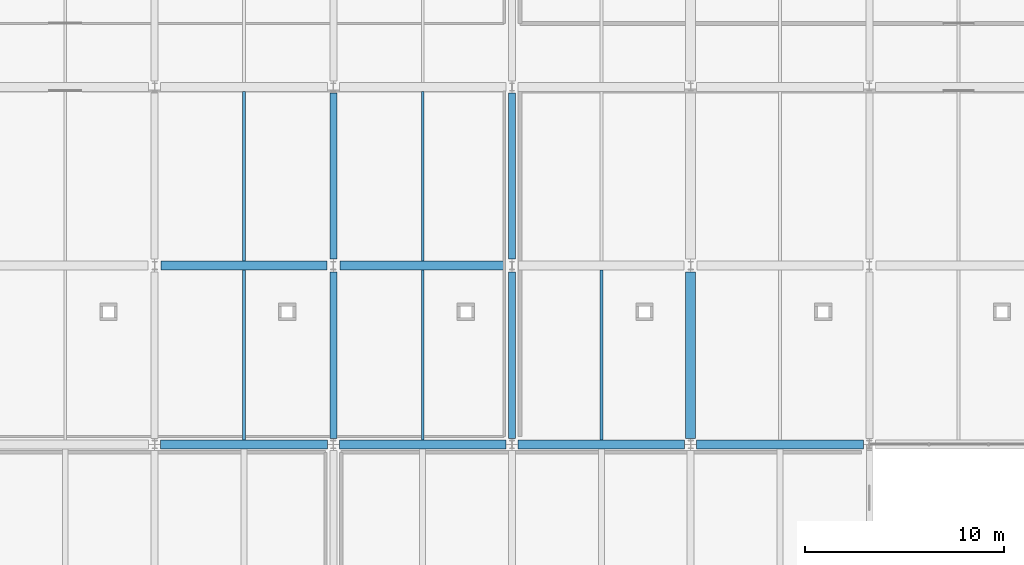
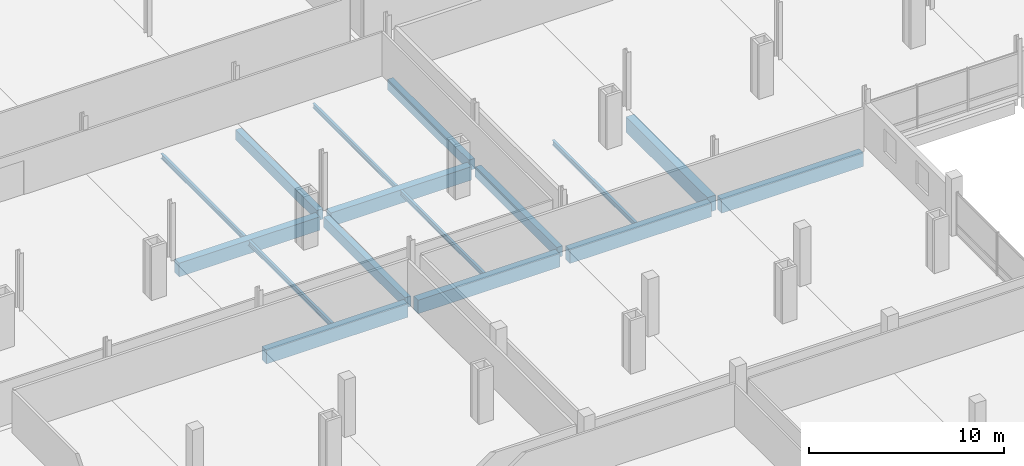
# One storey, part 38 of 132: 16 beams.
"""IFC4 building model written with IfcOpenShell, lengths in metres."""

from ifc_helpers import new_model, si_unit, direction, frame, origin, origin_2d, place, context, subcontext, project, spatial, rectangle, i_section, extrude, material, material_profile, profile_set, type_object, element, save


model = new_model("IFC4")

# Units and contexts
model_context = context("Model", 3, precision=1e-05, world=origin(), true_north=direction((0.0, 1.0)))
body_context = subcontext(model_context, "Body", "Model", "MODEL_VIEW")
ifc_project = project(units=[si_unit("LENGTHUNIT", "METRE"), si_unit("AREAUNIT", "SQUARE_METRE"), si_unit("VOLUMEUNIT", "CUBIC_METRE"), si_unit("PLANEANGLEUNIT", "RADIAN"), si_unit("MASSUNIT", "GRAM", prefix="KILO")], contexts=[model_context])

# Site, building, storey
site_placement = place(None, origin())
site = spatial("IfcSite", under=ifc_project, at=site_placement, CompositionType="ELEMENT")
building_placement = place(site_placement, origin())
building = spatial("IfcBuilding", under=site, at=building_placement, Name="Tharagai Park Tramway Depot", CompositionType="ELEMENT")
storey_placement = place(building_placement, frame((0.0, 0.0, 4.800048828125)))
storey = spatial("IfcBuildingStorey", under=building, at=storey_placement, Name="L01", CompositionType="ELEMENT", Elevation=4.800048828125)

# Beams
ifc_material_1 = material(Name="Concrete M35", Category="concrete")
ifc_material_profile_1 = material_profile(ifc_material_1, rectangle(XDim=0.449951171875, YDim=0.85009765625, at=origin_2d()), Name="RC 450x850")
ifc_profile_set_1 = profile_set([ifc_material_profile_1], Name="Concrete M35")
beam_type_1 = type_object("IfcBeamType", Name="BM-03", PredefinedType="BEAM", material=ifc_profile_set_1)
for number, where, z_axis, x_axis, name in (
    (1, (27.300048828125, 45.0, -0.705078125), (1.0, 0.0, 0.0), (0.0, 1.0, 0.0), "L01 Grid Beam BM-03"),
    (2, (36.300048828125, 45.0, -0.705078125), (1.0, 0.0, 0.0), (0.0, 1.0, 0.0), "L01 Grid Beam BM-03"),
    (3, (45.300048828125, 45.0, -0.705078125), (1.0, 0.0, 0.0), (0.0, 1.0, 0.0), "L01 Grid Beam BM-03"),
    (4, (54.300048828125, 45.0, -0.705078125), (1.0, 0.0, 0.0), (0.0, 1.0, 0.0), "L01 Grid Beam BM-03"),
):
    element("IfcBeam", number, at=place(storey_placement, frame(where, z_axis=z_axis, x_axis=x_axis)), inside=storey, type_object=beam_type_1, Name=name, PredefinedType="BEAM", context=body_context, shape_type="SweptSolid", body=[
        extrude(rectangle(XDim=0.449951171875, YDim=0.85009765625, at=origin_2d()), origin(), (0.0, 0.0, 1.0), 8.39990234375),
    ])
for number, where, z_axis, x_axis, name in (
    (5, (27.324951171875, 54.0, -0.705078125), (1.0, 0.0, 0.0), (0.0, 1.0, 0.0), "L01 Grid Beam BM-03"),
    (6, (36.324951171875, 54.0, -0.705078125), (1.0, 0.0, 0.0), (0.0, 1.0, 0.0), "L01 Grid Beam BM-03"),
):
    element("IfcBeam", number, at=place(storey_placement, frame(where, z_axis=z_axis, x_axis=x_axis)), inside=storey, type_object=beam_type_1, Name=name, PredefinedType="BEAM", context=body_context, shape_type="SweptSolid", body=[
        extrude(rectangle(XDim=0.449951171875, YDim=0.85009765625, at=origin_2d()), origin(), (0.0, 0.0, 1.0), 8.35009765625),
    ])
ifc_material_2 = material(Name="Concrete M40", Category="concrete")
ifc_material_profile_2 = material_profile(ifc_material_2, rectangle(XDim=0.5, YDim=0.949951171875, at=origin_2d()), Name="RC 500x950")
ifc_profile_set_2 = profile_set([ifc_material_profile_2], Name="Concrete M40")
beam_type_2 = type_object("IfcBeamType", Name="BM-07", PredefinedType="BEAM", material=ifc_profile_set_2)
beam_placement = place(storey_placement, frame((54.0, 45.300048828125, -0.755126953125), z_axis=(0.0, 1.0, 0.0), x_axis=(-1.0, 0.0, 0.0)))
element("IfcBeam", 7, at=beam_placement, inside=storey, type_object=beam_type_2, Name="L01 Grid Beam BM-07", PredefinedType="BEAM", context=body_context, shape_type="SweptSolid", body=[
    extrude(rectangle(XDim=0.5, YDim=0.949951171875, at=origin_2d()), origin(), (0.0, 0.0, 1.0), 8.375),
])
ifc_material_profile_3 = material_profile(ifc_material_1, rectangle(XDim=0.35009765625, YDim=0.64990234375, at=origin_2d()), Name="RC 350x650")
ifc_profile_set_3 = profile_set([ifc_material_profile_3], Name="Concrete M35")
beam_type_3 = type_object("IfcBeamType", Name="BM-13", PredefinedType="BEAM", material=ifc_profile_set_3)
for number, where, z_axis, x_axis, name in (
    (8, (36.0, 45.300048828125, -0.60498046875), (0.0, 1.0, 0.0), (-1.0, 0.0, 0.0), "L01 Grid Beam BM-13"),
    (9, (36.0, 54.324951171875, -0.60498046875), (0.0, 1.0, 0.0), (-1.0, 0.0, 0.0), "L01 Grid Beam BM-13"),
    (10, (45.0, 45.300048828125, -0.60498046875), (0.0, 1.0, 0.0), (-1.0, 0.0, 0.0), "L01 Grid Beam BM-13"),
    (11, (45.0, 54.324951171875, -0.60498046875), (0.0, 1.0, 0.0), (-1.0, 0.0, 0.0), "L01 Grid Beam BM-13"),
):
    element("IfcBeam", number, at=place(storey_placement, frame(where, z_axis=z_axis, x_axis=x_axis)), inside=storey, type_object=beam_type_3, Name=name, PredefinedType="BEAM", context=body_context, shape_type="SweptSolid", body=[
        extrude(rectangle(XDim=0.35009765625, YDim=0.64990234375, at=origin_2d()), origin(), (0.0, 0.0, 1.0), 8.375),
    ])
ifc_material_3 = material(Name="Steel E350", Category="steel")
ifc_material_profile_4 = material_profile(ifc_material_3, i_section(OverallWidth=0.139892578125, OverallDepth=0.300048828125, WebThickness=0.0078125, FlangeThickness=0.01318359375, FilletRadius=0.013916015625, at=origin_2d()), Name="ISMB 300")
ifc_profile_set_4 = profile_set([ifc_material_profile_4], Name="Steel E350")
beam_type_4 = type_object("IfcBeamType", Name="JT-03", PredefinedType="JOIST", material=ifc_profile_set_4)
for number, where, z_axis, x_axis, name in (
    (12, (40.5, 45.22509765625, -0.429931640625), (0.0, 1.0, 0.0), (-1.0, 0.0, 0.0), "L01 Secondary Joist JT-03"),
    (13, (40.5, 54.22509765625, -0.429931640625), (0.0, 1.0, 0.0), (-1.0, 0.0, 0.0), "L01 Secondary Joist JT-03"),
):
    element("IfcBeam", number, at=place(storey_placement, frame(where, z_axis=z_axis, x_axis=x_axis)), inside=storey, type_object=beam_type_4, Name=name, PredefinedType="JOIST", context=body_context, shape_type="SweptSolid", body=[
        extrude(i_section(OverallWidth=0.139892578125, OverallDepth=0.300048828125, WebThickness=0.0078125, FlangeThickness=0.01318359375, FilletRadius=0.013916015625, at=origin_2d()), origin(), (0.0, 0.0, 1.0), 8.5498046875),
    ])
ifc_material_profile_5 = material_profile(ifc_material_3, i_section(OverallWidth=0.14990234375, OverallDepth=0.300048828125, WebThickness=0.006591796875, FlangeThickness=0.009521484375, FilletRadius=0.011962890625, at=origin_2d()), Name="ISLB 300")
ifc_profile_set_5 = profile_set([ifc_material_profile_5], Name="Steel E350")
beam_type_5 = type_object("IfcBeamType", Name="JT-07", PredefinedType="JOIST", material=ifc_profile_set_5)
for number, where, z_axis, x_axis, name in (
    (14, (31.5, 45.22509765625, -0.429931640625), (0.0, 1.0, 0.0), (-1.0, 0.0, 0.0), "L01 Secondary Joist JT-07"),
    (15, (31.5, 54.22509765625, -0.429931640625), (0.0, 1.0, 0.0), (-1.0, 0.0, 0.0), "L01 Secondary Joist JT-07"),
    (16, (49.5, 45.22509765625, -0.429931640625), (0.0, 1.0, 0.0), (-1.0, 0.0, 0.0), "L01 Secondary Joist JT-07"),
):
    element("IfcBeam", number, at=place(storey_placement, frame(where, z_axis=z_axis, x_axis=x_axis)), inside=storey, type_object=beam_type_5, Name=name, PredefinedType="JOIST", context=body_context, shape_type="SweptSolid", body=[
        extrude(i_section(OverallWidth=0.14990234375, OverallDepth=0.300048828125, WebThickness=0.006591796875, FlangeThickness=0.009521484375, FilletRadius=0.011962890625, at=origin_2d()), origin(), (0.0, 0.0, 1.0), 8.5498046875),
    ])

save(model, "model.ifc")
